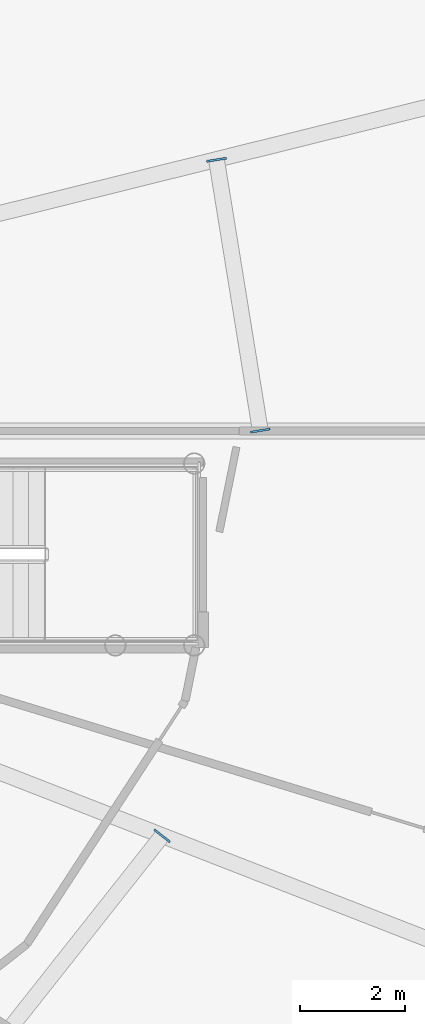
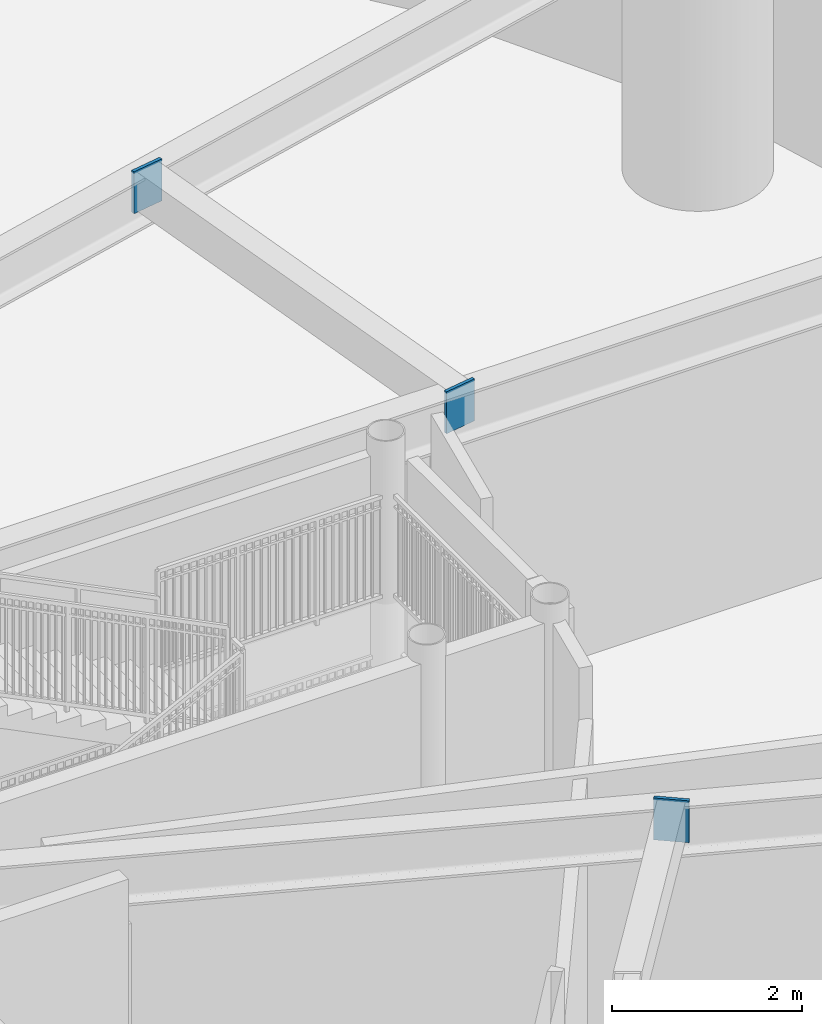
# One storey, part 17 of 35: 3 plates.
"""IFC4 building model written with IfcOpenShell, lengths in metres."""

from ifc_helpers import new_model, si_unit, direction, frame, origin, origin_2d, place, context, subcontext, project, spatial, rectangle, extrude, source, transform, mapped, material, layer, layer_set, type_object, element, save


model = new_model("IFC4")

# Units and contexts
model_context = context("Model", 3, precision=1e-05, world=origin(), true_north=direction((0.0, 1.0)))
body_context = subcontext(model_context, "Body", "Model", "MODEL_VIEW")
ifc_project = project(units=[si_unit("LENGTHUNIT", "METRE"), si_unit("AREAUNIT", "SQUARE_METRE"), si_unit("VOLUMEUNIT", "CUBIC_METRE"), si_unit("PLANEANGLEUNIT", "RADIAN"), si_unit("MASSUNIT", "GRAM", prefix="KILO")], contexts=[model_context])

# Site, building, storey
site_placement = place(None, origin())
site = spatial("IfcSite", under=ifc_project, at=site_placement, CompositionType="ELEMENT")
building_placement = place(site_placement, origin())
building = spatial("IfcBuilding", under=site, at=building_placement, Name="Linh Dai School and Residence Tower", CompositionType="ELEMENT")
storey_placement = place(building_placement, frame((0.0, 0.0, 49.199951171875)))
storey = spatial("IfcBuildingStorey", under=building, at=storey_placement, Name="L11", CompositionType="ELEMENT", Elevation=49.199951171875)

# Plates
ifc_material = material(Name="Structural Steel S355JR", Category="steel")
ifc_layer = layer(ifc_material, 0.0400390625)
ifc_layer_set = layer_set([ifc_layer], Name="Structural Steel S355JR")
plate_type = type_object("IfcPlateType", Name="PLT-GP1", PredefinedType="USERDEFINED", material=ifc_layer_set)
shared_shape = source(origin(), body_context, "Body", "SweptSolid", [
    extrude(rectangle(XDim=0.0400390625, YDim=0.3798828125, at=origin_2d()), origin(), (0.0, 0.0, 1.0), 0.5400390625),
])
for number, where, z_axis, x_axis, name in (
    (1, (57.607177734375, 27.0048828125, 3.429931640625), (0.0, 0.0, 1.0), (-0.159659022119, 0.987172222389, 0.0), "L11 Secondary Beam End Plate 01A"),
    (2, (56.774169921875, 32.15625, 3.429931640625), (0.0, 0.0, 1.0), (-0.159659022119, 0.987172222389, 0.0), "L11 Secondary Beam End Plate 01B"),
    (3, (55.740478515625, 19.297607421875, 3.429931640625), (0.0, 0.0, 1.0), (0.620177637481, 0.784461406297, 0.0), "L11 Secondary Beam End Plate 08B"),
):
    element("IfcPlate", number, at=place(storey_placement, frame(where, z_axis=z_axis, x_axis=x_axis)), inside=storey, type_object=plate_type, Name=name, ObjectType="GUSSET PLATE", PredefinedType="USERDEFINED", context=body_context, shape_type="MappedRepresentation", body=[
        mapped(shared_shape, transform((0.0, 0.0, 0.0), x_axis=(1.0, 0.0, 0.0), y_axis=(0.0, 1.0, 0.0), z_axis=(0.0, 0.0, 1.0), scale=1.0)),
    ])

save(model, "model.ifc")
